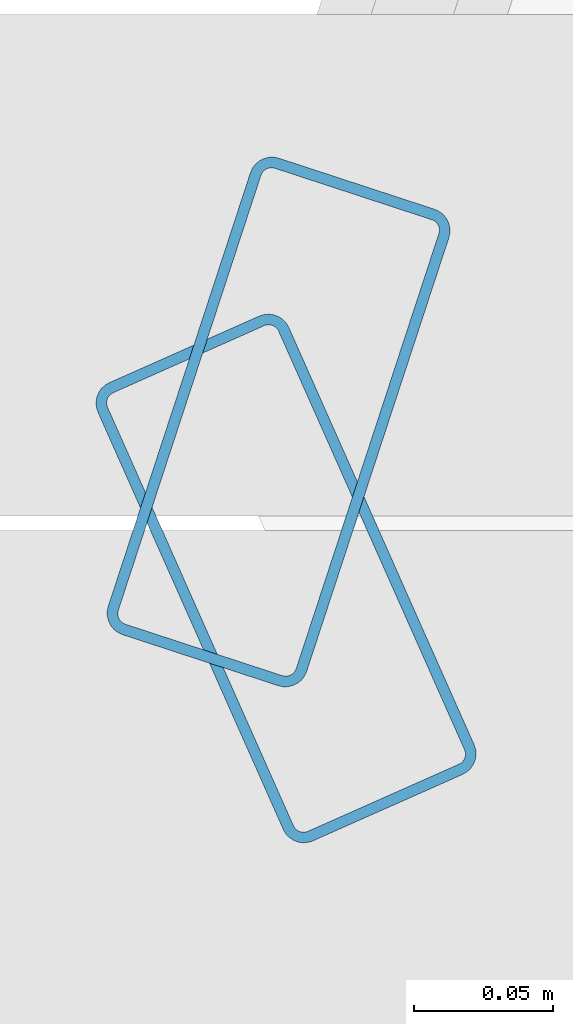
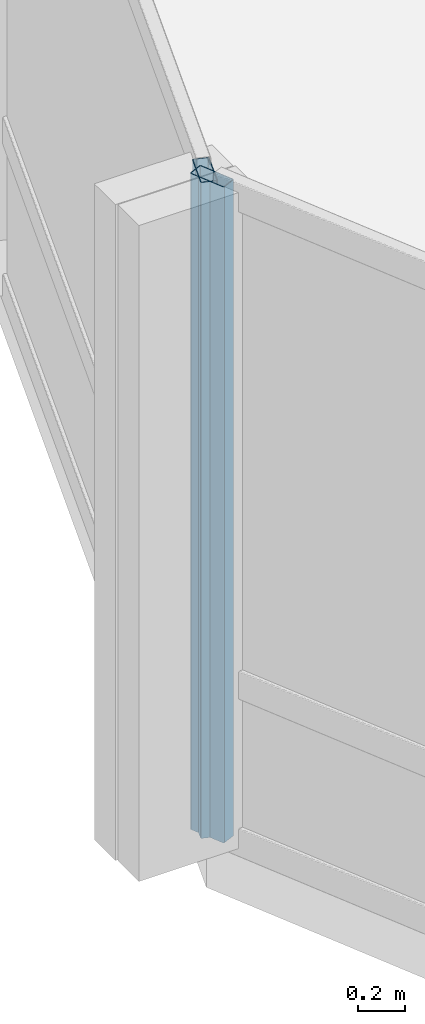
# One storey, part 6 of 34: 2 members, 2 elements without a shape of their own.
"""IFC4 building model written with IfcOpenShell, lengths in metres."""

from ifc_helpers import new_model, si_unit, direction, frame, origin, origin_2d, place, context, subcontext, project, spatial, hollow_rectangle, extrude, material, layer, layer_set, material_profile, profile_set, type_object, element, aggregate, save


model = new_model("IFC4")

# Units and contexts
model_context = context("Model", 3, precision=1e-05, world=origin(), true_north=direction((0.0, 1.0)))
body_context = subcontext(model_context, "Body", "Model", "MODEL_VIEW")
ifc_project = project(units=[si_unit("LENGTHUNIT", "METRE"), si_unit("AREAUNIT", "SQUARE_METRE"), si_unit("VOLUMEUNIT", "CUBIC_METRE"), si_unit("PLANEANGLEUNIT", "RADIAN"), si_unit("MASSUNIT", "GRAM", prefix="KILO")], contexts=[model_context])

# Site, building, storey
site_placement = place(None, origin())
site = spatial("IfcSite", under=ifc_project, at=site_placement, CompositionType="ELEMENT")
building_placement = place(site_placement, origin())
building = spatial("IfcBuilding", under=site, at=building_placement, Name="Solvaryn Broadcast Tower", CompositionType="ELEMENT")
storey_placement = place(building_placement, frame((0.0, 0.0, 89.10009765625)))
storey = spatial("IfcBuildingStorey", under=building, at=storey_placement, Name="L21", CompositionType="ELEMENT", Elevation=89.10009765625)

# Curtain wall, member
ifc_material_1 = material(Name="Aluminium and Terracotta Unitised Curtain Wall", Category="masonry")
ifc_layer = layer(ifc_material_1, 0.199951171875)
ifc_layer_set = layer_set([ifc_layer], Name="CW-SYS2-LOWMID")
curtain_wall_type = type_object("IfcCurtainWallType", Name="CW-SYS2-LOWMID", PredefinedType="NOTDEFINED", material=ifc_layer_set)
curtain_wall_1_placement = place(storey_placement, origin())
curtain_wall_1 = element("IfcCurtainWall", 1, at=curtain_wall_1_placement, inside=storey, type_object=curtain_wall_type, Name="L21 Curtain Wall DR1", PredefinedType="NOTDEFINED")
ifc_material_2 = material(Name="Anodised Aluminium 6063-T6", Category="aluminium")
ifc_material_profile = material_profile(ifc_material_2, hollow_rectangle(XDim=0.074951171875, YDim=0.179931640625, WallThickness=0.00390625, InnerFilletRadius=0.00390625, OuterFilletRadius=0.008056640625, at=origin_2d()))
ifc_profile_set = profile_set([ifc_material_profile], Name="Anodised Aluminium 6063-T6")
member_type = type_object("IfcMemberType", Name="CW-MUL-180", PredefinedType="MULLION", material=ifc_profile_set)
member_1_placement = place(storey_placement, frame((-0.45458984375, 26.588623046875, 0.0), z_axis=(0.0, 0.0, 1.0), x_axis=(0.950215318429, -0.311594044587, 0.0)))
member_1 = element("IfcMember", 2, at=member_1_placement, type_object=member_type, Name="CWS2 mullion 2", PredefinedType="MULLION", context=body_context, shape_type="SweptSolid", body=[
    extrude(hollow_rectangle(XDim=0.074951171875, YDim=0.179931640625, WallThickness=0.00390625, InnerFilletRadius=0.00390625, OuterFilletRadius=0.008056640625, at=origin_2d()), origin(), (0.0, 0.0, 1.0), 3.419921875),
])
aggregate(curtain_wall_1, [member_1])

curtain_wall_2_placement = place(storey_placement, origin())
curtain_wall_2 = element("IfcCurtainWall", 3, at=curtain_wall_2_placement, inside=storey, type_object=curtain_wall_type, Name="L21 Curtain Wall DR2", PredefinedType="NOTDEFINED")
member_2_placement = place(storey_placement, frame((-0.451904296875, 26.532470703125, 0.0), z_axis=(0.0, 0.0, 1.0), x_axis=(0.913918257271, 0.405898286554, 0.0)))
member_2 = element("IfcMember", 4, at=member_2_placement, type_object=member_type, Name="CWS2 mullion 1", PredefinedType="MULLION", context=body_context, shape_type="SweptSolid", body=[
    extrude(hollow_rectangle(XDim=0.074951171875, YDim=0.179931640625, WallThickness=0.00390625, InnerFilletRadius=0.00390625, OuterFilletRadius=0.008056640625, at=origin_2d()), origin(), (0.0, 0.0, 1.0), 3.419921875),
])
aggregate(curtain_wall_2, [member_2])

save(model, "model.ifc")
